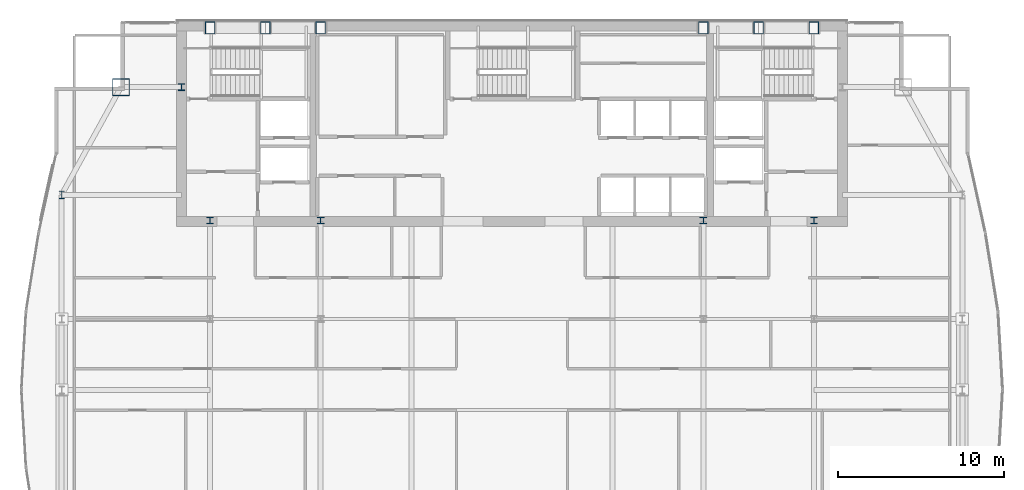
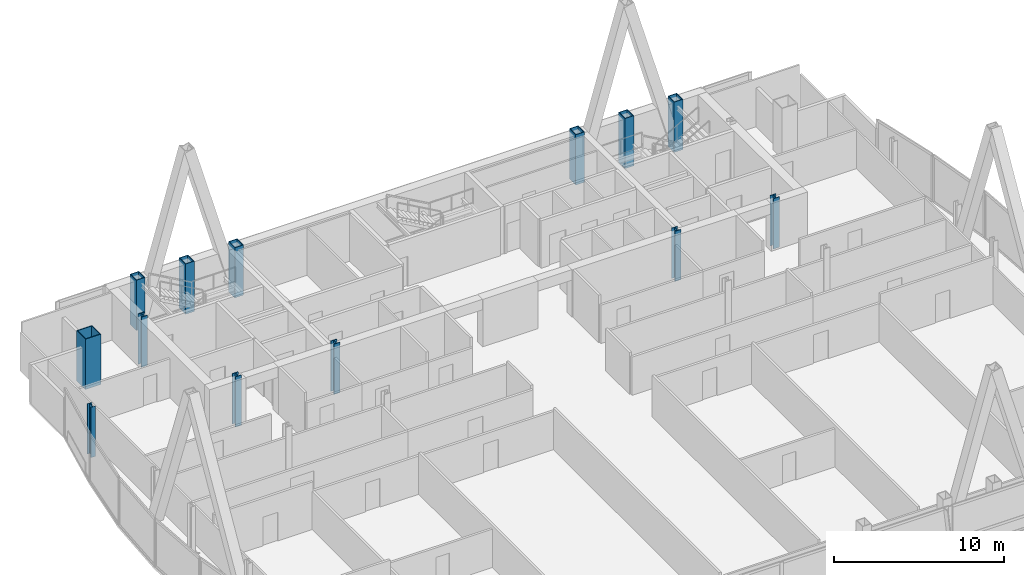
# One storey, part 3 of 31: 13 columns.
"""IFC4 building model written with IfcOpenShell, lengths in metres."""

from ifc_helpers import new_model, si_unit, direction, frame, origin, origin_2d, place, context, subcontext, project, spatial, hollow_rectangle, i_section, extrude, material, material_profile, profile_set, type_object, element, save


model = new_model("IFC4")

# Units and contexts
model_context = context("Model", 3, precision=1e-05, world=origin(), true_north=direction((0.0, 1.0)))
body_context = subcontext(model_context, "Body", "Model", "MODEL_VIEW")
ifc_project = project(units=[si_unit("LENGTHUNIT", "METRE"), si_unit("AREAUNIT", "SQUARE_METRE"), si_unit("VOLUMEUNIT", "CUBIC_METRE"), si_unit("PLANEANGLEUNIT", "RADIAN"), si_unit("MASSUNIT", "GRAM", prefix="KILO")], contexts=[model_context])

# Site, building, storey
site_placement = place(None, origin())
site = spatial("IfcSite", under=ifc_project, at=site_placement, CompositionType="ELEMENT")
building_placement = place(site_placement, origin())
building = spatial("IfcBuilding", under=site, at=building_placement, Name="Khoronbel Lancet Exchange", CompositionType="ELEMENT")
storey_placement = place(building_placement, frame((0.0, 0.0, 261.800048828125)))
storey = spatial("IfcBuildingStorey", under=building, at=storey_placement, Name="L67", CompositionType="ELEMENT", Elevation=261.800048828125)

# Columns
ifc_material_1 = material(Name="Steel S460", Category="steel")
ifc_material_profile_1 = material_profile(ifc_material_1, hollow_rectangle(XDim=0.60009765625, YDim=0.75, WallThickness=0.044921875, at=origin_2d()), Name="BOX 750x600x45")
ifc_profile_set_1 = profile_set([ifc_material_profile_1], Name="Steel S460")
column_type_1 = type_object("IfcColumnType", Name="COL-EC3", PredefinedType="COLUMN", material=ifc_profile_set_1)
for number, where, z_axis, x_axis, name in (
    (1, (18.22509765625, 53.280029296875, 0.0), (0.0, 0.0, 1.0), (1.0, 0.0, 0.0), "Structural column NC-W1 L67"),
    (2, (21.5625, 53.280029296875, 0.0), (0.0, 0.0, 1.0), (1.0, 0.0, 0.0), "Structural column NC-WM L67"),
    (3, (24.89990234375, 53.280029296875, 0.0), (0.0, 0.0, 1.0), (1.0, 0.0, 0.0), "Structural column NC-W2 L67"),
    (4, (48.0, 53.280029296875, 0.0), (0.0, 0.0, 1.0), (1.0, 0.0, 0.0), "Structural column NC-E1 L67"),
    (5, (51.33740234375, 53.280029296875, 0.0), (0.0, 0.0, 1.0), (1.0, 0.0, 0.0), "Structural column NC-EM L67"),
    (6, (54.675048828125, 53.280029296875, 0.0), (0.0, 0.0, 1.0), (1.0, 0.0, 0.0), "Structural column NC-E2 L67"),
):
    element("IfcColumn", number, at=place(storey_placement, frame(where, z_axis=z_axis, x_axis=x_axis)), inside=storey, type_object=column_type_1, Name=name, PredefinedType="COLUMN", context=body_context, shape_type="SweptSolid", body=[
        extrude(hollow_rectangle(XDim=0.60009765625, YDim=0.75, WallThickness=0.044921875, at=origin_2d()), origin(), (0.0, 0.0, 1.0), 3.599853515625),
    ])
ifc_material_2 = material(Name="Steel S355", Category="steel")
ifc_material_profile_2 = material_profile(ifc_material_2, i_section(OverallWidth=0.406005859375, OverallDepth=0.416015625, WebThickness=0.02978515625, FlangeThickness=0.048095703125, at=origin_2d()), Name="HD 400x382")
ifc_profile_set_2 = profile_set([ifc_material_profile_2], Name="Steel S355")
column_type_2 = type_object("IfcColumnType", Name="COL-IC3", PredefinedType="COLUMN", material=ifc_profile_set_2)
for number, where, z_axis, x_axis, name in (
    (7, (16.5, 49.699951171875, 0.0), (0.0, 0.0, 1.0), (1.0, 0.0, 0.0), "Core-flank plumb transfer column CFW L67"),
    (8, (18.22509765625, 41.64990234375, 0.0), (0.0, 0.0, 1.0), (1.0, 0.0, 0.0), "Core-embedded steel column CTC1 L67"),
    (9, (24.89990234375, 41.64990234375, 0.0), (0.0, 0.0, 1.0), (1.0, 0.0, 0.0), "Core-embedded steel column CTC2 L67"),
    (10, (48.0, 41.64990234375, 0.0), (0.0, 0.0, 1.0), (1.0, 0.0, 0.0), "Core-embedded steel column CTC3 L67"),
    (11, (54.675048828125, 41.64990234375, 0.0), (0.0, 0.0, 1.0), (1.0, 0.0, 0.0), "Core-embedded steel column CTC4 L67"),
):
    element("IfcColumn", number, at=place(storey_placement, frame(where, z_axis=z_axis, x_axis=x_axis)), inside=storey, type_object=column_type_2, Name=name, PredefinedType="COLUMN", context=body_context, shape_type="SweptSolid", body=[
        extrude(i_section(OverallWidth=0.406005859375, OverallDepth=0.416015625, WebThickness=0.02978515625, FlangeThickness=0.048095703125, at=origin_2d()), origin(), (0.0, 0.0, 1.0), 3.599853515625),
    ])
ifc_material_profile_3 = material_profile(ifc_material_2, i_section(OverallWidth=0.300048828125, OverallDepth=0.449951171875, WebThickness=0.013916015625, FlangeThickness=0.02587890625, at=origin_2d()), Name="HEB 450")
ifc_profile_set_3 = profile_set([ifc_material_profile_3], Name="Steel S355")
column_type_3 = type_object("IfcColumnType", Name="COL-LC2", PredefinedType="COLUMN", material=ifc_profile_set_3)
column_1_placement = place(storey_placement, frame((9.27001953125, 43.199951171875, 0.0), z_axis=(0.0, 0.0, 1.0), x_axis=(1.0, 0.0, 0.0)))
element("IfcColumn", 12, at=column_1_placement, inside=storey, type_object=column_type_3, Name="Structural column WC-4 L67", PredefinedType="COLUMN", context=body_context, shape_type="SweptSolid", body=[
    extrude(i_section(OverallWidth=0.300048828125, OverallDepth=0.449951171875, WebThickness=0.013916015625, FlangeThickness=0.02587890625, at=origin_2d()), origin(), (0.0, 0.0, 1.0), 3.599853515625),
])
ifc_material_profile_4 = material_profile(ifc_material_1, hollow_rectangle(XDim=1.050048828125, YDim=1.050048828125, WallThickness=0.054931640625, at=origin_2d()), Name="BOX 1050x1050x55")
ifc_profile_set_4 = profile_set([ifc_material_profile_4], Name="Steel S460")
column_type_4 = type_object("IfcColumnType", Name="COL-MC6", PredefinedType="COLUMN", material=ifc_profile_set_4)
column_2_placement = place(storey_placement, frame((12.85009765625, 49.699951171875, 0.0), z_axis=(0.0, 0.0, 1.0), x_axis=(1.0, 0.0, 0.0)))
element("IfcColumn", 13, at=column_2_placement, inside=storey, type_object=column_type_4, Name="Structural column MC-NW L67", PredefinedType="COLUMN", context=body_context, shape_type="SweptSolid", body=[
    extrude(hollow_rectangle(XDim=1.050048828125, YDim=1.050048828125, WallThickness=0.054931640625, at=origin_2d()), origin(), (0.0, 0.0, 1.0), 3.599853515625),
])

save(model, "model.ifc")
